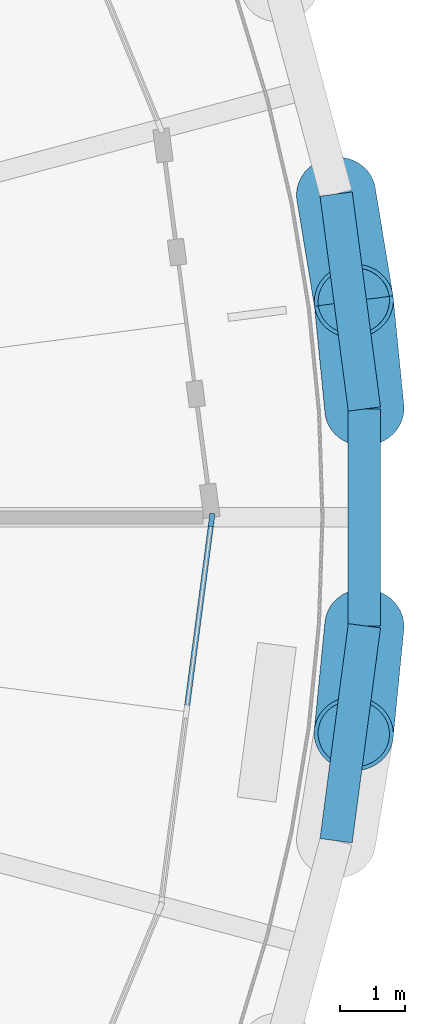
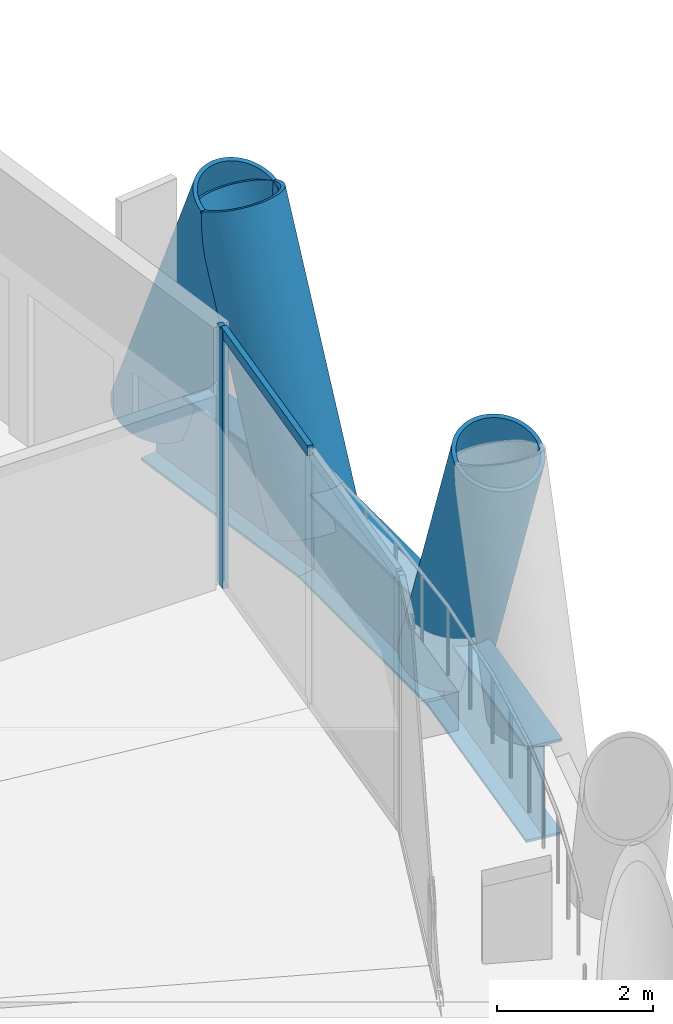
# One storey, part 5 of 16: 5 members, 3 beams, 1 element without a shape of its own.
"""IFC4 building model written with IfcOpenShell, lengths in metres."""

from ifc_helpers import new_model, si_unit, direction, frame, origin, origin_2d, place, context, subcontext, project, spatial, rectangle, hollow_circle, i_section, extrude, material, material_profile, profile_set, type_object, element, aggregate, save


model = new_model("IFC4")

# Units and contexts
model_context = context("Model", 3, precision=1e-05, world=origin(), true_north=direction((0.0, 1.0)))
body_context = subcontext(model_context, "Body", "Model", "MODEL_VIEW")
ifc_project = project(units=[si_unit("LENGTHUNIT", "METRE"), si_unit("AREAUNIT", "SQUARE_METRE"), si_unit("VOLUMEUNIT", "CUBIC_METRE"), si_unit("PLANEANGLEUNIT", "RADIAN"), si_unit("MASSUNIT", "GRAM", prefix="KILO")], contexts=[model_context])

# Site, building, storey
site_placement = place(None, origin())
site = spatial("IfcSite", under=ifc_project, at=site_placement, CompositionType="ELEMENT")
building_placement = place(site_placement, origin())
building = spatial("IfcBuilding", under=site, at=building_placement, Name="Qaws Media Tower", CompositionType="ELEMENT")
storey_placement = place(building_placement, frame((0.0, 0.0, 80.60009765625)))
storey = spatial("IfcBuildingStorey", under=building, at=storey_placement, Name="L17", CompositionType="ELEMENT", Elevation=80.60009765625)

# Curtain wall, members
ifc_material_1 = material(Name="Aluminium and clear glass", Category="aluminium")
curtain_wall_type = type_object("IfcCurtainWallType", Name="Unitised curtain wall CW-A", PredefinedType="NOTDEFINED", material=ifc_material_1)
curtain_wall_placement = place(storey_placement, origin())
curtain_wall = element("IfcCurtainWall", 1, at=curtain_wall_placement, inside=storey, type_object=curtain_wall_type, Name="CWA curtain wall L17-24", PredefinedType="NOTDEFINED")
ifc_material_2 = material(Name="Aluminium mullion", Category="aluminium")
ifc_material_profile_1 = material_profile(ifc_material_2, rectangle(XDim=0.080078125, YDim=0.199951171875, at=origin_2d()), Name="80x200")
ifc_profile_set_1 = profile_set([ifc_material_profile_1], Name="Aluminium mullion")
member_type_1 = type_object("IfcMemberType", Name="Curtain wall mullion 80x200", PredefinedType="MULLION", material=ifc_profile_set_1)
member_1_placement = place(storey_placement, frame((83.0947265625, 49.96044921875, 0.0), z_axis=(0.0, 0.0, 1.0), x_axis=(-0.991444870395, 0.130526123696, 0.0)))
member_1 = element("IfcMember", 2, at=member_1_placement, type_object=member_type_1, Name="CWA mullion 3", PredefinedType="MULLION", context=body_context, shape_type="SweptSolid", body=[
    extrude(rectangle(XDim=0.080078125, YDim=0.199951171875, at=origin_2d()), origin(), (0.0, 0.0, 1.0), 4.039794921875),
])
ifc_material_3 = material(Name="Aluminium transom", Category="aluminium")
ifc_material_profile_2 = material_profile(ifc_material_3, rectangle(XDim=0.080078125, YDim=0.159912109375, at=origin_2d()), Name="80x160")
ifc_profile_set_2 = profile_set([ifc_material_profile_2], Name="Aluminium transom")
member_type_2 = type_object("IfcMemberType", Name="Curtain wall transom 80x160", PredefinedType="USERDEFINED", material=ifc_profile_set_2)
member_2_placement = place(storey_placement, frame((82.711669921875, 47.05029296875, 4.0), z_axis=(0.130539586254, 0.991443097924, 0.0), x_axis=(-0.991443097924, 0.130539586254, 0.0)))
member_2 = element("IfcMember", 3, at=member_2_placement, type_object=member_type_2, Name="CWA transom 2.2", ObjectType="TRANSOM", PredefinedType="USERDEFINED", context=body_context, shape_type="SweptSolid", body=[
    extrude(rectangle(XDim=0.080078125, YDim=0.159912109375, at=origin_2d()), origin(), (0.0, 0.0, 1.0), 2.89501953125),
])
aggregate(curtain_wall, [member_1, member_2])

# Members
ifc_material_4 = material(Name="Steel S460", Category="steel")
ifc_material_profile_3 = material_profile(ifc_material_4, hollow_circle(Radius=0.609619140625, WallThickness=0.06005859375, at=origin_2d()), Name="CHS 1219x60")
ifc_profile_set_3 = profile_set([ifc_material_profile_3], Name="Steel S460")
member_type_3 = type_object("IfcMemberType", Name="Diagrid member CHS 1219x60", PredefinedType="USERDEFINED", material=ifc_profile_set_3)
for number, where, z_axis, x_axis, name in (
    (4, (85.4453125, 51.667724609375, -0.91015625), (-0.036194579277, 0.3674560123, 0.929336339253), (-0.995183849295, -0.098026048078, 0.0), "DG1 diagrid L17 A01"),
    (5, (85.4453125, 48.332275390625, -0.91015625), (-0.036194579277, -0.3674560123, 0.929336339253), (0.995183849295, -0.098026048078, 0.0), "DG1 diagrid L17 B01"),
    (6, (85.010009765625, 54.974853515625, -0.91015625), (0.060125850438, -0.364320516937, 0.929330642478), (0.986653650306, 0.16283296453, 0.0), "DG1 diagrid L17 B02"),
):
    element("IfcMember", number, at=place(storey_placement, frame(where, z_axis=z_axis, x_axis=x_axis)), inside=storey, type_object=member_type_3, Name=name, ObjectType="DIAGRID", PredefinedType="USERDEFINED", context=body_context, shape_type="SweptSolid", body=[
        extrude(hollow_circle(Radius=0.609619140625, WallThickness=0.06005859375, at=origin_2d()), origin(), (0.0, 0.0, 1.0), 4.519287109375),
    ])

# Beams
ifc_material_5 = material(Name="Steel S460", Category="steel")
ifc_material_profile_4 = material_profile(ifc_material_5, i_section(OverallWidth=0.5, OverallDepth=1.5, WebThickness=0.02001953125, FlangeThickness=0.0400390625, at=origin_2d()), Name="PG 1500x500")
ifc_profile_set_4 = profile_set([ifc_material_profile_4], Name="Steel S460")
beam_type = type_object("IfcBeamType", Name="Edge ring beam PG 1500x500", PredefinedType="BEAM", material=ifc_profile_set_4)
for number, where, z_axis, x_axis, name in (
    (7, (85.4453125, 51.667724609375, -0.91015625), (-0.130499951778, 0.99144831564, 0.0), (-0.99144831564, -0.130499951778, 0.0), "RB4 edge ring beam L17-01"),
    (8, (85.010009765625, 45.025146484375, -0.91015625), (0.130499951778, 0.99144831564, 0.0), (-0.99144831564, 0.130499951778, 0.0), "RB4 edge ring beam L17-47"),
):
    element("IfcBeam", number, at=place(storey_placement, frame(where, z_axis=z_axis, x_axis=x_axis)), inside=storey, type_object=beam_type, Name=name, PredefinedType="BEAM", context=body_context, shape_type="SweptSolid", body=[
        extrude(i_section(OverallWidth=0.5, OverallDepth=1.5, WebThickness=0.02001953125, FlangeThickness=0.0400390625, at=origin_2d()), origin(), (0.0, 0.0, 1.0), 3.335693359375),
    ])
beam_placement = place(storey_placement, frame((85.4453125, 48.332275390625, -0.91015625), z_axis=(0.0, 1.0, 0.0), x_axis=(-1.0, 0.0, 0.0)))
element("IfcBeam", 9, at=beam_placement, inside=storey, type_object=beam_type, Name="RB4 edge ring beam L17-48", PredefinedType="BEAM", context=body_context, shape_type="SweptSolid", body=[
    extrude(i_section(OverallWidth=0.5, OverallDepth=1.5, WebThickness=0.02001953125, FlangeThickness=0.0400390625, at=origin_2d()), origin(), (0.0, 0.0, 1.0), 3.33544921875),
])

save(model, "model.ifc")
